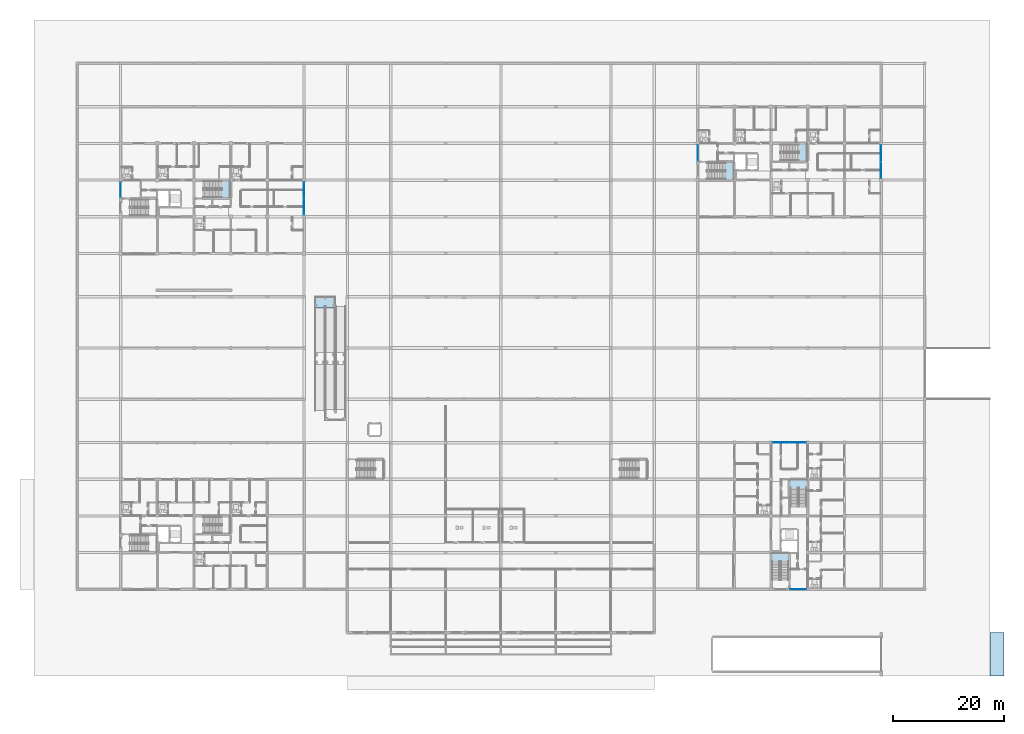
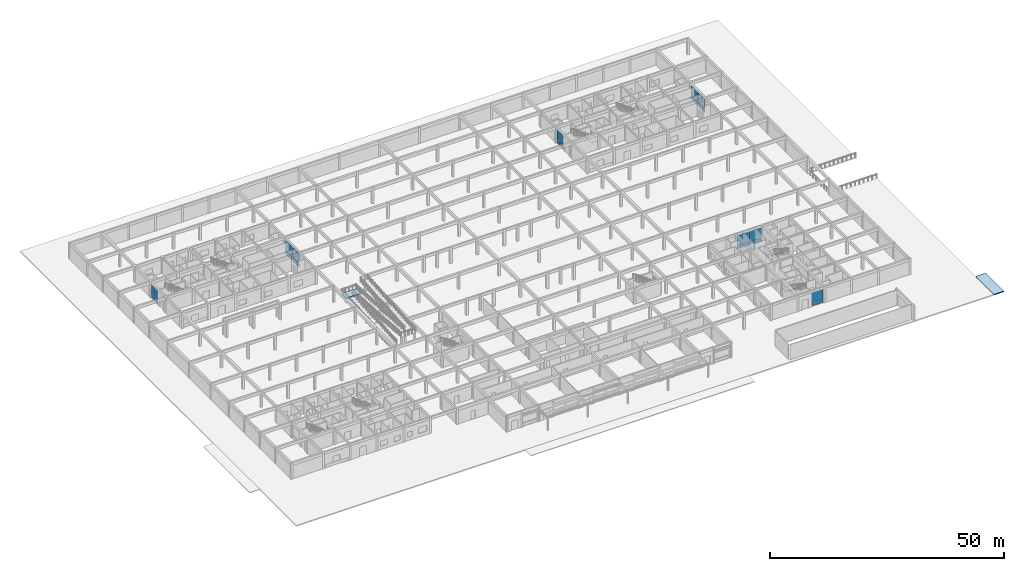
# One storey, part 46 of 75: 18 plates, 7 slabs, 12 elements without a shape of their own.
"""IFC4 building model written with IfcOpenShell, lengths in metres."""

from ifc_helpers import new_model, si_unit, direction, frame, origin, origin_2d, place, context, subcontext, project, spatial, polyline, rectangle, outline, extrude, material, layer, layer_set, type_object, element, aggregate, save


model = new_model("IFC4")

# Units and contexts
model_context = context("Model", 3, precision=1e-05, world=origin(), true_north=direction((0.0, 1.0)))
body_context = subcontext(model_context, "Body", "Model", "MODEL_VIEW")
ifc_project = project(units=[si_unit("LENGTHUNIT", "METRE"), si_unit("AREAUNIT", "SQUARE_METRE"), si_unit("VOLUMEUNIT", "CUBIC_METRE"), si_unit("PLANEANGLEUNIT", "RADIAN"), si_unit("MASSUNIT", "GRAM", prefix="KILO")], contexts=[model_context])

# Site, building, storey
site_placement = place(None, origin())
site = spatial("IfcSite", under=ifc_project, at=site_placement, CompositionType="ELEMENT")
building_placement = place(site_placement, origin())
building = spatial("IfcBuilding", under=site, at=building_placement, Name="Kernevlak Ridge Housing Community", CompositionType="ELEMENT")
storey_placement = place(building_placement, origin())
storey = spatial("IfcBuildingStorey", under=building, at=storey_placement, Name="L00", CompositionType="ELEMENT", Elevation=0.0)

# Curtain wall, plate
ifc_material_1 = material(Name="Aluminium EN AW-6060 anodised and laminated glass", Category="aluminium")
curtain_wall_type_1 = type_object("IfcCurtainWallType", Name="CW-07", PredefinedType="NOTDEFINED", material=ifc_material_1)
curtain_wall_1_placement = place(storey_placement, origin())
curtain_wall_1 = element("IfcCurtainWall", 1, at=curtain_wall_1_placement, inside=storey, type_object=curtain_wall_type_1, Name="Curtain wall CW-07 CW-L00-002", PredefinedType="NOTDEFINED")
ifc_material_2 = material(Name="Acoustic laminated double glazing glass", Category="glass")
ifc_layer_1 = layer(ifc_material_2, 0.028076171875, Name="Acoustic laminated double glazing glass")
ifc_layer_set_1 = layer_set([ifc_layer_1], Name="Acoustic laminated double glazing glass")
plate_type_1 = type_object("IfcPlateType", Name="CP-02", PredefinedType="CURTAIN_PANEL", material=ifc_layer_set_1)
plate_1_placement = place(storey_placement, frame((15.60009765625, 87.455078125, 0.88232421875), z_axis=(0.0, 0.0, 1.0), x_axis=(0.0, 1.0, 0.0)))
plate_1 = element("IfcPlate", 2, at=plate_1_placement, type_object=plate_type_1, Name="CW-07 panel 1.2", PredefinedType="CURTAIN_PANEL", context=body_context, shape_type="SweptSolid", body=[
    extrude(rectangle(XDim=2.760009765625, YDim=0.028076171875, at=origin_2d()), origin(), (0.0, 0.0, 1.0), 2.652587890625),
])

# Curtain wall, plates
curtain_wall_type_2 = type_object("IfcCurtainWallType", Name="CW-10", PredefinedType="NOTDEFINED", material=ifc_material_1)
curtain_wall_2_placement = place(storey_placement, origin())
curtain_wall_2 = element("IfcCurtainWall", 3, at=curtain_wall_2_placement, inside=storey, type_object=curtain_wall_type_2, Name="Curtain wall CW-10 CW-L00-003", PredefinedType="NOTDEFINED")
plate_2_placement = place(storey_placement, frame((48.60009765625, 84.413818359375, 0.87744140625), z_axis=(0.0, 0.0, 1.0), x_axis=(0.0, 1.0, 0.0)))
plate_2 = element("IfcPlate", 4, at=plate_2_placement, type_object=plate_type_1, Name="CW-10 panel 1.2", PredefinedType="CURTAIN_PANEL", context=body_context, shape_type="SweptSolid", body=[
    extrude(rectangle(XDim=2.91748046875, YDim=0.028076171875, at=origin_2d()), origin(), (0.0, 0.0, 1.0), 2.66748046875),
])
plate_3_placement = place(storey_placement, frame((48.60009765625, 87.38623046875, 0.87744140625), z_axis=(0.0, 0.0, 1.0), x_axis=(0.0, 1.0, 0.0)))
plate_3 = element("IfcPlate", 5, at=plate_3_placement, type_object=plate_type_1, Name="CW-10 panel 2.2", PredefinedType="CURTAIN_PANEL", context=body_context, shape_type="SweptSolid", body=[
    extrude(rectangle(XDim=2.91748046875, YDim=0.028076171875, at=origin_2d()), origin(), (0.0, 0.0, 1.0), 2.66748046875),
])

# Curtain wall, plate
curtain_wall_3_placement = place(storey_placement, origin())
curtain_wall_3 = element("IfcCurtainWall", 6, at=curtain_wall_3_placement, inside=storey, type_object=curtain_wall_type_2, Name="Curtain wall CW-10 CW-L00-056", PredefinedType="NOTDEFINED")
plate_4_placement = place(storey_placement, frame((119.39990234375, 94.0673828125, 0.88232421875), z_axis=(0.0, 0.0, 1.0), x_axis=(0.0, 1.0, 0.0)))
plate_4 = element("IfcPlate", 7, at=plate_4_placement, type_object=plate_type_1, Name="CW-10 panel 1.2", PredefinedType="CURTAIN_PANEL", context=body_context, shape_type="SweptSolid", body=[
    extrude(rectangle(XDim=2.784912109375, YDim=0.028076171875, at=origin_2d()), origin(), (0.0, 0.0, 1.0), 2.652587890625),
])

# Curtain wall, plates
curtain_wall_type_3 = type_object("IfcCurtainWallType", Name="CW-12", PredefinedType="NOTDEFINED", material=ifc_material_1)
curtain_wall_4_placement = place(storey_placement, origin())
curtain_wall_4 = element("IfcCurtainWall", 8, at=curtain_wall_4_placement, inside=storey, type_object=curtain_wall_type_3, Name="Curtain wall CW-12 CW-L00-057", PredefinedType="NOTDEFINED")
plate_5_placement = place(storey_placement, frame((152.39990234375, 91.001220703125, 0.87744140625), z_axis=(0.0, 0.0, 1.0), x_axis=(0.0, 1.0, 0.0)))
plate_5 = element("IfcPlate", 9, at=plate_5_placement, type_object=plate_type_1, Name="CW-12 panel 1.2", PredefinedType="CURTAIN_PANEL", context=body_context, shape_type="SweptSolid", body=[
    extrude(rectangle(XDim=2.9423828125, YDim=0.028076171875, at=origin_2d()), origin(), (0.0, 0.0, 1.0), 2.66748046875),
])
plate_6_placement = place(storey_placement, frame((152.39990234375, 93.998779296875, 0.87744140625), z_axis=(0.0, 0.0, 1.0), x_axis=(0.0, 1.0, 0.0)))
plate_6 = element("IfcPlate", 10, at=plate_6_placement, type_object=plate_type_1, Name="CW-12 panel 2.2", PredefinedType="CURTAIN_PANEL", context=body_context, shape_type="SweptSolid", body=[
    extrude(rectangle(XDim=2.9423828125, YDim=0.028076171875, at=origin_2d()), origin(), (0.0, 0.0, 1.0), 2.66748046875),
])

# Curtain wall, plate
curtain_wall_type_4 = type_object("IfcCurtainWallType", Name="CW-13", PredefinedType="NOTDEFINED", material=ifc_material_1)
curtain_wall_5_placement = place(storey_placement, origin())
curtain_wall_5 = element("IfcCurtainWall", 11, at=curtain_wall_5_placement, inside=storey, type_object=curtain_wall_type_4, Name="Curtain wall CW-13 CW-L00-101", PredefinedType="NOTDEFINED")
plate_7_placement = place(storey_placement, frame((137.47998046875, 15.60009765625, 0.88232421875), z_axis=(0.0, 0.0, 1.0), x_axis=(1.0, 0.0, 0.0)))
plate_7 = element("IfcPlate", 12, at=plate_7_placement, type_object=plate_type_1, Name="CW-13 panel 1.2", PredefinedType="CURTAIN_PANEL", context=body_context, shape_type="SweptSolid", body=[
    extrude(rectangle(XDim=2.81005859375, YDim=0.028076171875, at=origin_2d()), origin(), (0.0, 0.0, 1.0), 2.652587890625),
])

# Curtain wall, plates
curtain_wall_type_5 = type_object("IfcCurtainWallType", Name="CW-14", PredefinedType="NOTDEFINED", material=ifc_material_1)
curtain_wall_6_placement = place(storey_placement, origin())
curtain_wall_6 = element("IfcCurtainWall", 13, at=curtain_wall_6_placement, inside=storey, type_object=curtain_wall_type_5, Name="Curtain wall CW-14 CW-L00-102", PredefinedType="NOTDEFINED")
plate_8_placement = place(storey_placement, frame((134.388671875, 42.0, 0.87744140625), z_axis=(0.0, 0.0, 1.0), x_axis=(1.0, 0.0, 0.0)))
plate_8 = element("IfcPlate", 14, at=plate_8_placement, type_object=plate_type_1, Name="CW-14 panel 1.2", PredefinedType="CURTAIN_PANEL", context=body_context, shape_type="SweptSolid", body=[
    extrude(rectangle(XDim=2.967529296875, YDim=0.028076171875, at=origin_2d()), origin(), (0.0, 0.0, 1.0), 2.66748046875),
])
plate_9_placement = place(storey_placement, frame((137.4111328125, 42.0, 0.87744140625), z_axis=(0.0, 0.0, 1.0), x_axis=(1.0, 0.0, 0.0)))
plate_9 = element("IfcPlate", 15, at=plate_9_placement, type_object=plate_type_1, Name="CW-14 panel 2.2", PredefinedType="CURTAIN_PANEL", context=body_context, shape_type="SweptSolid", body=[
    extrude(rectangle(XDim=2.967529296875, YDim=0.028076171875, at=origin_2d()), origin(), (0.0, 0.0, 1.0), 2.66748046875),
])
ifc_material_3 = material(Name="Aluminium EN AW-5005 enamelled panel", Category="aluminium")
ifc_layer_2 = layer(ifc_material_3, 0.033935546875, Name="Aluminium EN AW-5005 enamelled panel")
ifc_layer_set_2 = layer_set([ifc_layer_2], Name="Aluminium EN AW-5005 enamelled panel")
plate_type_2 = type_object("IfcPlateType", Name="CP-03", PredefinedType="CURTAIN_PANEL", material=ifc_layer_set_2)
plate_10_placement = place(storey_placement, frame((134.388671875, 42.0, 0.054931640625), z_axis=(0.0, 0.0, 1.0), x_axis=(1.0, 0.0, 0.0)))
plate_10 = element("IfcPlate", 16, at=plate_10_placement, type_object=plate_type_2, Name="CW-14 panel 1.1", PredefinedType="CURTAIN_PANEL", context=body_context, shape_type="SweptSolid", body=[
    extrude(rectangle(XDim=2.967529296875, YDim=0.033935546875, at=origin_2d()), origin(), (0.0, 0.0, 1.0), 0.767578125),
])
plate_11_placement = place(storey_placement, frame((137.4111328125, 42.0, 0.054931640625), z_axis=(0.0, 0.0, 1.0), x_axis=(1.0, 0.0, 0.0)))
plate_11 = element("IfcPlate", 17, at=plate_11_placement, type_object=plate_type_2, Name="CW-14 panel 2.1", PredefinedType="CURTAIN_PANEL", context=body_context, shape_type="SweptSolid", body=[
    extrude(rectangle(XDim=2.967529296875, YDim=0.033935546875, at=origin_2d()), origin(), (0.0, 0.0, 1.0), 0.767578125),
])
aggregate(curtain_wall_6, [plate_10, plate_8, plate_11, plate_9])

# Plate
ifc_layer_3 = layer(ifc_material_3, 0.0419921875, Name="Aluminium EN AW-5005 enamelled panel")
ifc_layer_set_3 = layer_set([ifc_layer_3], Name="Aluminium EN AW-5005 enamelled panel")
plate_type_3 = type_object("IfcPlateType", Name="CP-05", PredefinedType="CURTAIN_PANEL", material=ifc_layer_set_3)
plate_12_placement = place(storey_placement, frame((15.60009765625, 87.455078125, 0.06494140625), z_axis=(0.0, 0.0, 1.0), x_axis=(0.0, 1.0, 0.0)))
plate_12 = element("IfcPlate", 18, at=plate_12_placement, type_object=plate_type_3, Name="CW-07 panel 1.1", PredefinedType="CURTAIN_PANEL", context=body_context, shape_type="SweptSolid", body=[
    extrude(rectangle(XDim=2.760009765625, YDim=0.0419921875, at=origin_2d()), origin(), (0.0, 0.0, 1.0), 0.75244140625),
])

aggregate(curtain_wall_1, [plate_12, plate_1])

ifc_material_4 = material(Name="Aluminium EN AW-5005 insulated panel", Category="aluminium")
ifc_layer_4 = layer(ifc_material_4, 0.0458984375, Name="Aluminium EN AW-5005 insulated panel")
ifc_layer_set_4 = layer_set([ifc_layer_4], Name="Aluminium EN AW-5005 insulated panel")
plate_type_4 = type_object("IfcPlateType", Name="CP-06", PredefinedType="CURTAIN_PANEL", material=ifc_layer_set_4)
plate_13_placement = place(storey_placement, frame((48.60009765625, 84.413818359375, 0.054931640625), z_axis=(0.0, 0.0, 1.0), x_axis=(0.0, 1.0, 0.0)))
plate_13 = element("IfcPlate", 19, at=plate_13_placement, type_object=plate_type_4, Name="CW-10 panel 1.1", PredefinedType="CURTAIN_PANEL", context=body_context, shape_type="SweptSolid", body=[
    extrude(rectangle(XDim=2.91748046875, YDim=0.0458984375, at=origin_2d()), origin(), (0.0, 0.0, 1.0), 0.767578125),
])

plate_14_placement = place(storey_placement, frame((48.60009765625, 87.38623046875, 0.054931640625), z_axis=(0.0, 0.0, 1.0), x_axis=(0.0, 1.0, 0.0)))
plate_14 = element("IfcPlate", 20, at=plate_14_placement, type_object=plate_type_4, Name="CW-10 panel 2.1", PredefinedType="CURTAIN_PANEL", context=body_context, shape_type="SweptSolid", body=[
    extrude(rectangle(XDim=2.91748046875, YDim=0.0458984375, at=origin_2d()), origin(), (0.0, 0.0, 1.0), 0.767578125),
])

aggregate(curtain_wall_2, [plate_13, plate_2, plate_14, plate_3])

plate_15_placement = place(storey_placement, frame((119.39990234375, 94.0673828125, 0.06494140625), z_axis=(0.0, 0.0, 1.0), x_axis=(0.0, 1.0, 0.0)))
plate_15 = element("IfcPlate", 21, at=plate_15_placement, type_object=plate_type_4, Name="CW-10 panel 1.1", PredefinedType="CURTAIN_PANEL", context=body_context, shape_type="SweptSolid", body=[
    extrude(rectangle(XDim=2.784912109375, YDim=0.0458984375, at=origin_2d()), origin(), (0.0, 0.0, 1.0), 0.75244140625),
])

aggregate(curtain_wall_3, [plate_15, plate_4])

ifc_layer_5 = layer(ifc_material_4, 0.050048828125, Name="Aluminium EN AW-5005 insulated panel")
ifc_layer_set_5 = layer_set([ifc_layer_5], Name="Aluminium EN AW-5005 insulated panel")
plate_type_5 = type_object("IfcPlateType", Name="CP-07", PredefinedType="CURTAIN_PANEL", material=ifc_layer_set_5)
plate_16_placement = place(storey_placement, frame((152.39990234375, 91.001220703125, 0.054931640625), z_axis=(0.0, 0.0, 1.0), x_axis=(0.0, 1.0, 0.0)))
plate_16 = element("IfcPlate", 22, at=plate_16_placement, type_object=plate_type_5, Name="CW-12 panel 1.1", PredefinedType="CURTAIN_PANEL", context=body_context, shape_type="SweptSolid", body=[
    extrude(rectangle(XDim=2.9423828125, YDim=0.050048828125, at=origin_2d()), origin(), (0.0, 0.0, 1.0), 0.767578125),
])

plate_17_placement = place(storey_placement, frame((152.39990234375, 93.998779296875, 0.054931640625), z_axis=(0.0, 0.0, 1.0), x_axis=(0.0, 1.0, 0.0)))
plate_17 = element("IfcPlate", 23, at=plate_17_placement, type_object=plate_type_5, Name="CW-12 panel 2.1", PredefinedType="CURTAIN_PANEL", context=body_context, shape_type="SweptSolid", body=[
    extrude(rectangle(XDim=2.9423828125, YDim=0.050048828125, at=origin_2d()), origin(), (0.0, 0.0, 1.0), 0.767578125),
])

aggregate(curtain_wall_4, [plate_16, plate_5, plate_17, plate_6])

plate_18_placement = place(storey_placement, frame((137.47998046875, 15.60009765625, 0.06494140625), z_axis=(0.0, 0.0, 1.0), x_axis=(1.0, 0.0, 0.0)))
plate_18 = element("IfcPlate", 24, at=plate_18_placement, type_object=plate_type_5, Name="CW-13 panel 1.1", PredefinedType="CURTAIN_PANEL", context=body_context, shape_type="SweptSolid", body=[
    extrude(rectangle(XDim=2.81005859375, YDim=0.050048828125, at=origin_2d()), origin(), (0.0, 0.0, 1.0), 0.75244140625),
])

aggregate(curtain_wall_5, [plate_18, plate_7])

# Slab
ifc_material_5 = material(Name="Concrete C35/45", Category="concrete")
ifc_layer_6 = layer(ifc_material_5, 0.199951171875, Name="Concrete C35/45")
ifc_layer_set_6 = layer_set([ifc_layer_6], Name="Concrete C35/45")
slab_type_1 = type_object("IfcSlabType", Name="SL-11", PredefinedType="USERDEFINED", material=ifc_layer_set_6)
slab_1_placement = place(storey_placement, frame((0.0, 0.0, -0.199951171875)))
element("IfcSlab", 25, at=slab_1_placement, inside=storey, type_object=slab_type_1, Name="Vehicle ramp street approach paving", ObjectType="PAVING", PredefinedType="USERDEFINED", context=body_context, shape_type="SweptSolid", body=[
    extrude(outline(polyline([(172.0, 0.0), (174.5, 0.0), (174.5, 7.800048828125), (172.0, 7.800048828125), (172.0, 0.0)])), origin(), (0.0, 0.0, 1.0), 0.199951171875),
])

# Stair, slab
stair_type = type_object("IfcStairType", Name="SR-02", PredefinedType="HALF_TURN_STAIR", material=ifc_material_5)
stair_1_placement = place(storey_placement, origin())
stair_1 = element("IfcStair", 26, at=stair_1_placement, inside=storey, type_object=stair_type, Name="Stair ST-A2 L00", PredefinedType="HALF_TURN_STAIR")
ifc_layer_7 = layer(ifc_material_5, 0.18994140625, Name="Concrete C35/45")
ifc_layer_set_7 = layer_set([ifc_layer_7], Name="Concrete C35/45")
slab_type_2 = type_object("IfcSlabType", Name="SL-13", PredefinedType="LANDING", material=ifc_layer_set_7)
slab_2_placement = place(storey_placement, frame((0.0, 0.0, 1.909912109375)))
slab_2 = element("IfcSlab", 27, at=slab_2_placement, type_object=slab_type_2, Name="SR-02 landing 1", PredefinedType="LANDING", context=body_context, shape_type="SweptSolid", body=[
    extrude(outline(polyline([(33.739990234375, 85.949951171875), (35.35009765625, 85.949951171875), (35.35009765625, 89.14990234375), (33.739990234375, 89.14990234375), (33.739990234375, 85.949951171875)])), origin(), (0.0, 0.0, 1.0), 0.190185546875),
])
aggregate(stair_1, [slab_2])

stair_2_placement = place(storey_placement, origin())
stair_2 = element("IfcStair", 28, at=stair_2_placement, inside=storey, type_object=stair_type, Name="Stair ST-B1 L00", PredefinedType="HALF_TURN_STAIR")
slab_3_placement = place(storey_placement, frame((0.0, 0.0, 1.909912109375)))
slab_3 = element("IfcSlab", 29, at=slab_3_placement, type_object=slab_type_2, Name="SR-02 landing 1", PredefinedType="LANDING", context=body_context, shape_type="SweptSolid", body=[
    extrude(outline(polyline([(124.340087890625, 89.25), (125.949951171875, 89.25), (125.949951171875, 92.449951171875), (124.340087890625, 92.449951171875), (124.340087890625, 89.25)])), origin(), (0.0, 0.0, 1.0), 0.190185546875),
])
aggregate(stair_2, [slab_3])

stair_3_placement = place(storey_placement, origin())
stair_3 = element("IfcStair", 30, at=stair_3_placement, inside=storey, type_object=stair_type, Name="Stair ST-B2 L00", PredefinedType="HALF_TURN_STAIR")
slab_4_placement = place(storey_placement, frame((0.0, 0.0, 1.909912109375)))
slab_4 = element("IfcSlab", 31, at=slab_4_placement, type_object=slab_type_2, Name="SR-02 landing 1", PredefinedType="LANDING", context=body_context, shape_type="SweptSolid", body=[
    extrude(outline(polyline([(137.5400390625, 92.550048828125), (139.14990234375, 92.550048828125), (139.14990234375, 95.75), (137.5400390625, 95.75), (137.5400390625, 92.550048828125)])), origin(), (0.0, 0.0, 1.0), 0.190185546875),
])
aggregate(stair_3, [slab_4])

stair_4_placement = place(storey_placement, origin())
stair_4 = element("IfcStair", 32, at=stair_4_placement, inside=storey, type_object=stair_type, Name="Stair ST-C1 L00", PredefinedType="HALF_TURN_STAIR")
slab_5_placement = place(storey_placement, frame((0.0, 0.0, 1.909912109375)))
slab_5 = element("IfcSlab", 33, at=slab_5_placement, type_object=slab_type_2, Name="SR-02 landing 1", PredefinedType="LANDING", context=body_context, shape_type="SweptSolid", body=[
    extrude(outline(polyline([(135.85009765625, 20.5400390625), (135.85009765625, 22.14990234375), (132.64990234375, 22.14990234375), (132.64990234375, 20.5400390625), (135.85009765625, 20.5400390625)])), origin(), (0.0, 0.0, 1.0), 0.190185546875),
])
aggregate(stair_4, [slab_5])

stair_5_placement = place(storey_placement, origin())
stair_5 = element("IfcStair", 34, at=stair_5_placement, inside=storey, type_object=stair_type, Name="Stair ST-C2 L00", PredefinedType="HALF_TURN_STAIR")
slab_6_placement = place(storey_placement, frame((0.0, 0.0, 1.909912109375)))
slab_6 = element("IfcSlab", 35, at=slab_6_placement, type_object=slab_type_2, Name="SR-02 landing 1", PredefinedType="LANDING", context=body_context, shape_type="SweptSolid", body=[
    extrude(outline(polyline([(139.14990234375, 33.739990234375), (139.14990234375, 35.35009765625), (135.949951171875, 35.35009765625), (135.949951171875, 33.739990234375), (139.14990234375, 33.739990234375)])), origin(), (0.0, 0.0, 1.0), 0.190185546875),
])
aggregate(stair_5, [slab_6])

# Ramp, slab
ramp_type = type_object("IfcRampType", Name="RM-01", PredefinedType="HALF_TURN_RAMP", material=ifc_material_5)
ramp_placement = place(storey_placement, origin())
ramp = element("IfcRamp", 36, at=ramp_placement, inside=storey, type_object=ramp_type, Name="Step-free civic plaza accessible ramp RM-01", PredefinedType="HALF_TURN_RAMP")
ifc_layer_8 = layer(ifc_material_5, 0.260009765625, Name="Concrete C35/45")
ifc_layer_set_8 = layer_set([ifc_layer_8], Name="Concrete C35/45")
slab_type_3 = type_object("IfcSlabType", Name="SL-19", PredefinedType="LANDING", material=ifc_layer_set_8)
slab_7_placement = place(storey_placement, frame((0.0, 0.0, 1.139892578125)))
slab_7 = element("IfcSlab", 37, at=slab_7_placement, type_object=slab_type_3, Name="Accessible ramp landing 2", PredefinedType="LANDING", context=body_context, shape_type="SweptSolid", body=[
    extrude(outline(polyline([(50.550048828125, 66.219970703125), (54.219970703125, 66.219970703125), (54.219970703125, 68.199951171875), (50.550048828125, 68.199951171875), (50.550048828125, 66.219970703125)])), origin(), (0.0, 0.0, 1.0), 0.260009765625),
])
aggregate(ramp, [slab_7])

save(model, "model.ifc")
